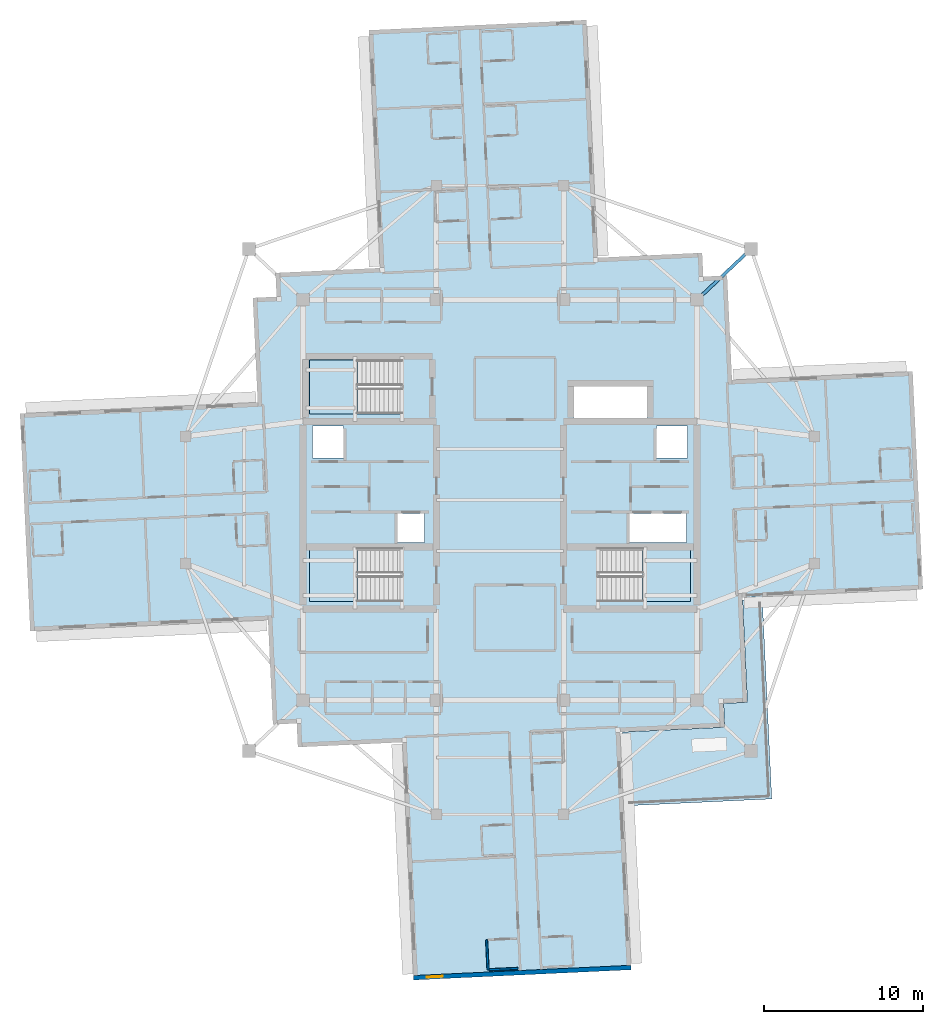
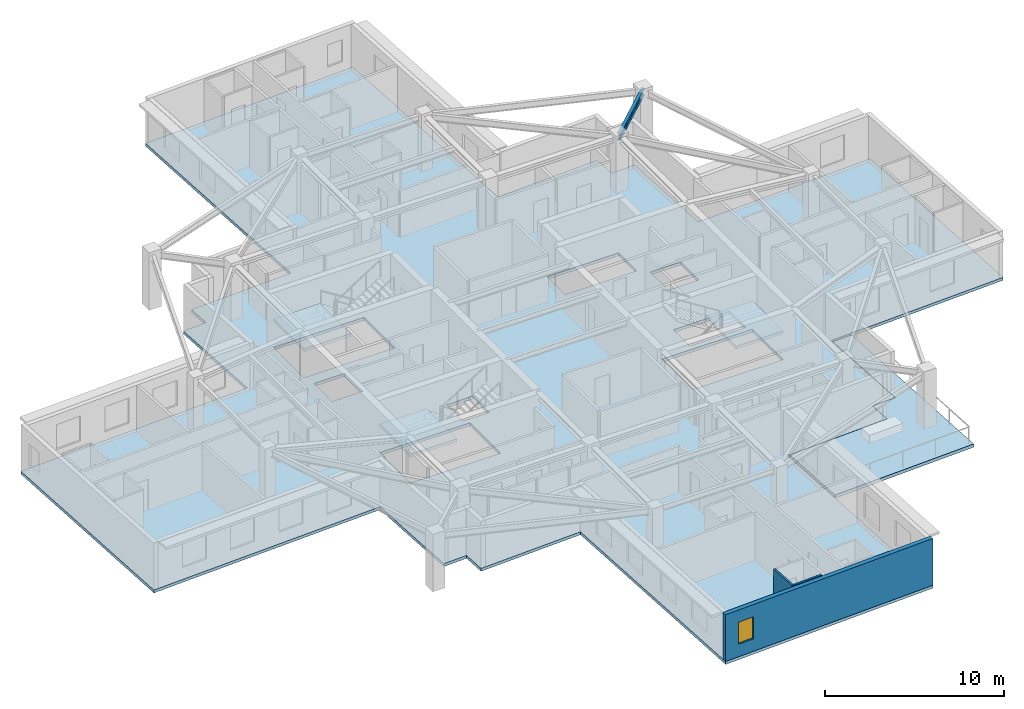
# One storey, part 2 of 13: 5 slabs, 3 walls, 1 beam, 1 window, 1 opening, 3 elements without a shape of their own.
"""IFC4 building model written with IfcOpenShell, lengths in metres."""

import ifcopenshell
import ifcopenshell.guid

model = None  # the IFC model being written
_history = None  # IfcOwnerHistory: only IFC2X3 demands one
_inside = {}  # id of a spatial element -> (the spatial element, [elements in it])
_under = {}  # id of a project, library or spatial element -> (it, [spatial elements below it])
_declared = {}  # id of a project -> (the project, [libraries it declares])
_typed = {}  # id of a type object -> (the type object, [elements of that type])
_made_of = {}  # id of a material, layer set ... -> (it, [elements and type objects made of it])


def new_model(schema):
    """Start an empty IFC model of exactly this schema.

    Asked for "IFC4X3", IfcOpenShell would pick the latest addendum, in which some entities
    have other attributes; the version numbers below select the first issue.
    IFC2X3 requires an IfcOwnerHistory on every rooted entity: one is made here for all.
    """
    global model, _history
    if schema == "IFC4X3":
        model = ifcopenshell.file(schema_version=(4, 3, 0, 0))
    else:
        model = ifcopenshell.file(schema=schema)
    _inside.clear()
    _under.clear()
    _declared.clear()
    _typed.clear()
    _made_of.clear()
    _history = None
    if model.schema == "IFC2X3":
        org = make("IfcOrganization", Name="unknown")
        user = make(
            "IfcPersonAndOrganization",
            ThePerson=make("IfcPerson", FamilyName="unknown"),
            TheOrganization=org,
        )
        app = make(
            "IfcApplication",
            ApplicationDeveloper=org,
            Version="unknown",
            ApplicationFullName="unknown",
            ApplicationIdentifier="unknown",
        )
        _history = make(
            "IfcOwnerHistory",
            OwningUser=user,
            OwningApplication=app,
            ChangeAction="ADDED",
            CreationDate=0,
        )
    return model


def make(cls, **values):
    """One entity of the class cls with the attributes given. An attribute that is None is left unset."""
    return model.create_entity(
        cls, **{name: value for name, value in values.items() if value is not None}
    )


def rooted(cls, **values):
    """An entity with a GlobalId (a new one), such as an element, a storey or a relation."""
    return make(cls, GlobalId=ifcopenshell.guid.new(), OwnerHistory=_history, **values)


def si_unit(unit_type, name, prefix=None):
    """IfcSIUnit, for example si_unit("LENGTHUNIT", "METRE", prefix="MILLI")."""
    return make("IfcSIUnit", UnitType=unit_type, Prefix=prefix, Name=name)


def assignment(units):
    """IfcUnitAssignment: the units of a project."""
    return None if units is None else make("IfcUnitAssignment", Units=units)


def point(xyz):
    """IfcCartesianPoint."""
    return None if xyz is None else make("IfcCartesianPoint", Coordinates=xyz)


def direction(xyz):
    """IfcDirection."""
    return None if xyz is None else make("IfcDirection", DirectionRatios=xyz)


def frame(location, z_axis=None, x_axis=None):
    """IfcAxis2Placement3D, a coordinate frame: its origin and axes. An axis left out is left unset."""
    return make(
        "IfcAxis2Placement3D",
        Location=point(location),
        Axis=direction(z_axis),
        RefDirection=direction(x_axis),
    )


def frame_2d(location, x_axis=None):
    """IfcAxis2Placement2D, a coordinate frame in the plane: its origin and x axis."""
    return make(
        "IfcAxis2Placement2D", Location=point(location), RefDirection=direction(x_axis)
    )


def origin():
    """The frame at (0, 0, 0) with its axes left unset."""
    return frame((0.0, 0.0, 0.0))


def origin_2d():
    """The frame at (0, 0) in the plane with its x axis left unset."""
    return frame_2d((0.0, 0.0))


def place(relative_to, where):
    """IfcLocalPlacement: puts the frame where relative to a parent placement (None: the world)."""
    return make(
        "IfcLocalPlacement", PlacementRelTo=relative_to, RelativePlacement=where
    )


def context(
    kind, dimensions, precision=None, world=None, true_north=None, identifier=None
):
    """IfcGeometricRepresentationContext, for example the 3D "Model" context."""
    return make(
        "IfcGeometricRepresentationContext",
        ContextIdentifier=identifier,
        ContextType=kind,
        CoordinateSpaceDimension=dimensions,
        Precision=precision,
        WorldCoordinateSystem=world,
        TrueNorth=true_north,
    )


def subcontext(parent, identifier, kind, view, scale=None):
    """IfcGeometricRepresentationSubContext, for example "Body" below "Model"."""
    return make(
        "IfcGeometricRepresentationSubContext",
        ContextIdentifier=identifier,
        ContextType=kind,
        ParentContext=parent,
        TargetScale=scale,
        TargetView=view,
    )


def project(units=None, contexts=None):
    """IfcProject with its units and contexts."""
    return rooted(
        "IfcProject",
        Name="project",
        RepresentationContexts=contexts,
        UnitsInContext=assignment(units),
    )


def spatial(cls, under=None, at=None, **own):
    """A site, building, storey or space (cls), placed at a placement, below another one or the project."""
    s = rooted(cls, ObjectPlacement=at, **own)
    if under is not None:
        _under.setdefault(under.id(), (under, []))[1].append(s)
    return s


def polyline(points):
    """IfcPolyline through the points."""
    return make("IfcPolyline", Points=[point(p) for p in points])


def profile(cls, at=None, kind="AREA", **sizes):
    """A parametric profile (cls). Its sizes go by their IFC names, for example OverallWidth=200.0."""
    return make(cls, ProfileType=kind, Position=at, **sizes)


def rectangle(**sizes):
    """IfcRectangleProfileDef."""
    return profile("IfcRectangleProfileDef", **sizes)


def i_section(**sizes):
    """IfcIShapeProfileDef."""
    return profile("IfcIShapeProfileDef", **sizes)


def outline(outer, holes=None, kind="AREA"):
    """IfcArbitraryClosedProfileDef: a profile drawn as a closed curve; with holes, ...WithVoids."""
    if holes is None:
        return make("IfcArbitraryClosedProfileDef", ProfileType=kind, OuterCurve=outer)
    return make(
        "IfcArbitraryProfileDefWithVoids",
        ProfileType=kind,
        OuterCurve=outer,
        InnerCurves=holes,
    )


def extrude(swept, where, along, depth):
    """IfcExtrudedAreaSolid: the profile swept, set in the frame where, extruded along a direction by depth."""
    return make(
        "IfcExtrudedAreaSolid",
        SweptArea=swept,
        Position=where,
        ExtrudedDirection=direction(along),
        Depth=depth,
    )


def shape(context_of_items, identifier, shape_type, items):
    """IfcShapeRepresentation: the items that make up one representation, for example the "Body"."""
    return make(
        "IfcShapeRepresentation",
        ContextOfItems=context_of_items,
        RepresentationIdentifier=identifier,
        RepresentationType=shape_type,
        Items=items,
    )


def material(Name=None, Category=None):
    """IfcMaterial."""
    return make("IfcMaterial", Name=Name, Category=Category)


def layer(
    of_material, thickness, ventilated=None, Name=None, Category=None, Priority=None
):
    """IfcMaterialLayer: one layer of a wall or slab, of a material (None: an air gap)."""
    return make(
        "IfcMaterialLayer",
        Material=of_material,
        LayerThickness=thickness,
        IsVentilated=ventilated,
        Name=Name,
        Category=Category,
        Priority=Priority,
    )


def layer_set(layers, Name=None):
    """IfcMaterialLayerSet."""
    return make("IfcMaterialLayerSet", MaterialLayers=layers, LayerSetName=Name)


def material_profile(
    of_material, cross_section, Name=None, Category=None, Priority=None
):
    """IfcMaterialProfile: a cross section and its material."""
    return make(
        "IfcMaterialProfile",
        Name=Name,
        Material=of_material,
        Profile=cross_section,
        Priority=Priority,
        Category=Category,
    )


def profile_set(profiles, Name=None, composite=None):
    """IfcMaterialProfileSet."""
    return make(
        "IfcMaterialProfileSet",
        Name=Name,
        MaterialProfiles=profiles,
        CompositeProfile=composite,
    )


def made_of(thing, what):
    """Note that an element or type object is made of a material, layer set ...; save() writes the relation."""
    if what is not None:
        _made_of.setdefault(what.id(), (what, []))[1].append(thing)
    return thing


def type_object(cls, material=None, **own):
    """A type object (cls), such as IfcWallType, which elements share."""
    return made_of(rooted(cls, **own), material)


def element(
    cls,
    number,
    at=None,
    inside=None,
    cuts=None,
    type_object=None,
    material=None,
    context=None,
    identifier="Body",
    shape_type=None,
    held_by="IfcProductDefinitionShape",
    body=None,
    shapes=None,
    **own,
):
    """One element of the class cls, such as IfcWall. Its Tag is "e" and its number.

    at: its placement. inside: the storey or other place that contains it. cuts: it is an
    opening in that element (IfcRelVoidsElement). A single representation is given by context,
    identifier, shape_type and body (its items); several are given by shapes. held_by: the class
    of the entity that holds the representations. save() writes the other relations.
    """
    e = rooted(cls, Tag="e%d" % number, ObjectPlacement=at, **own)
    if body is not None:
        shapes = [shape(context, identifier, shape_type, body)]
    if shapes is not None:
        e.Representation = make(held_by, Representations=shapes)
    if inside is not None:
        _inside.setdefault(inside.id(), (inside, []))[1].append(e)
    if cuts is not None:
        rooted(
            "IfcRelVoidsElement", RelatingBuildingElement=cuts, RelatedOpeningElement=e
        )
    if type_object is not None:
        _typed.setdefault(type_object.id(), (type_object, []))[1].append(e)
    return made_of(e, material)


def fill(opening, filler):
    """IfcRelFillsElement: the door or window that sits in an opening."""
    return rooted(
        "IfcRelFillsElement",
        RelatingOpeningElement=opening,
        RelatedBuildingElement=filler,
    )


def aggregate(whole, parts):
    """IfcRelAggregates: a whole, such as a stair, and the parts it consists of."""
    return rooted("IfcRelAggregates", RelatingObject=whole, RelatedObjects=parts)


def save(model, path):
    """Write the relations noted so far, then the file.

    IfcRelAggregates (storeys below a building ...), IfcRelContainedInSpatialStructure (elements
    in a storey), IfcRelDefinesByType, IfcRelAssociatesMaterial and IfcRelDeclares: one each for
    every whole, place, type object, material and project.
    """
    for whole, parts in _under.values():
        aggregate(whole, parts)
    for where, things in _inside.values():
        rooted(
            "IfcRelContainedInSpatialStructure",
            RelatedElements=things,
            RelatingStructure=where,
        )
    for kind, things in _typed.values():
        rooted("IfcRelDefinesByType", RelatedObjects=things, RelatingType=kind)
    for what, things in _made_of.values():
        rooted("IfcRelAssociatesMaterial", RelatedObjects=things, RelatingMaterial=what)
    for by, libraries in _declared.values():
        rooted("IfcRelDeclares", RelatingContext=by, RelatedDefinitions=libraries)
    model.write(path)


model = new_model("IFC4")

# Units and contexts
model_context = context("Model", 3, precision=1e-05, world=origin(), true_north=direction((0.0, 1.0)))
body_context = subcontext(model_context, "Body", "Model", "MODEL_VIEW")
ifc_project = project(units=[si_unit("LENGTHUNIT", "METRE"), si_unit("AREAUNIT", "SQUARE_METRE"), si_unit("VOLUMEUNIT", "CUBIC_METRE"), si_unit("PLANEANGLEUNIT", "RADIAN"), si_unit("MASSUNIT", "GRAM", prefix="KILO")], contexts=[model_context])

# Site, building, storey
site_placement = place(None, origin())
site = spatial("IfcSite", under=ifc_project, at=site_placement, CompositionType="ELEMENT")
building_placement = place(site_placement, origin())
building = spatial("IfcBuilding", under=site, at=building_placement, Name="Qingluan Cross Belvedere", CompositionType="ELEMENT")
storey_placement = place(building_placement, frame((0.0, 0.0, 277.199951171875)))
storey = spatial("IfcBuildingStorey", under=building, at=storey_placement, Name="L69", CompositionType="ELEMENT", Elevation=277.199951171875)

# Beam
ifc_material_1 = material(Name="Steel Q420GJB", Category="steel")
ifc_material_profile = material_profile(ifc_material_1, i_section(OverallWidth=0.199951171875, OverallDepth=0.449951171875, WebThickness=0.009033203125, FlangeThickness=0.013916015625, FilletRadius=0.01611328125, at=origin_2d()), Name="HN450x200x9x14")
ifc_profile_set = profile_set([ifc_material_profile], Name="Steel Q420GJB")
beam_type = type_object("IfcBeamType", Name="Steel_Beam_HN450x200x9x14", PredefinedType="JOIST", material=ifc_profile_set)
beam_placement = place(storey_placement, frame((12.39990234375, 12.60009765625, 3.47509765625), z_axis=(0.728219948308, 0.685343495546, 0.0), x_axis=(-0.685343495546, 0.728219948308, 0.0)))
element("IfcBeam", 1, at=beam_placement, inside=storey, type_object=beam_type, Name="Corner beam 1 L69-RNE", PredefinedType="JOIST", context=body_context, shape_type="SweptSolid", body=[
    extrude(i_section(OverallWidth=0.199951171875, OverallDepth=0.449951171875, WebThickness=0.009033203125, FlangeThickness=0.013916015625, FilletRadius=0.01611328125, at=origin_2d()), origin(), (0.0, 0.0, 1.0), 4.669189453125),
])

# Slab
ifc_material_2 = material(Name="Concrete C40", Category="concrete")
ifc_layer_1 = layer(ifc_material_2, 0.199951171875, Name="FloorSlab_200")
ifc_layer_set_1 = layer_set([ifc_layer_1], Name="Concrete C40")
slab_type_1 = type_object("IfcSlabType", Name="FloorSlab_200", PredefinedType="FLOOR", material=ifc_layer_set_1)
slab_1_placement = place(storey_placement, frame((0.0, 0.0, -0.199951171875)))
element("IfcSlab", 2, at=slab_1_placement, inside=storey, type_object=slab_type_1, Name="Structural floor slab L69", PredefinedType="FLOOR", context=body_context, shape_type="SweptSolid", body=[
    extrude(outline(polyline([(8.26171875, -29.563720703125), (7.55615234375, -14.600341796875), (14.12890625, -14.290283203125), (14.05810546875, -12.7919921875), (15.556396484375, -12.72119140625), (15.24658203125, -6.148681640625), (26.614013671875, -5.612548828125), (25.967529296875, 8.09228515625), (14.600341796875, 7.55615234375), (14.290283203125, 14.12890625), (12.7919921875, 14.05810546875), (12.72119140625, 15.556396484375), (6.148681640625, 15.24658203125), (5.443115234375, 30.2099609375), (-8.26171875, 29.563720703125), (-7.55615234375, 14.600341796875), (-14.12890625, 14.290283203125), (-14.05810546875, 12.7919921875), (-15.556396484375, 12.72119140625), (-15.24658203125, 6.148681640625), (-30.2099609375, 5.443115234375), (-29.563720703125, -8.26171875), (-14.600341796875, -7.55615234375), (-14.290283203125, -14.12890625), (-12.7919921875, -14.05810546875), (-12.72119140625, -15.556396484375), (-6.148681640625, -15.24658203125), (-5.443115234375, -30.2099609375), (8.26171875, -29.563720703125)]), holes=[polyline([(-12.0, -3.0), (-6.179931640625, -3.0), (-6.179931640625, -6.39990234375), (-12.0, -6.39990234375), (-12.0, -3.0)]), polyline([(6.179931640625, -3.0), (12.0, -3.0), (12.0, -6.39990234375), (6.179931640625, -6.39990234375), (6.179931640625, -3.0)]), polyline([(-12.0, 8.820068359375), (-6.179931640625, 8.820068359375), (-6.179931640625, 5.419921875), (-12.0, 5.419921875), (-12.0, 8.820068359375)]), polyline([(-11.800048828125, 4.64990234375), (-9.85009765625, 4.64990234375), (-9.85009765625, 2.64990234375), (-11.800048828125, 2.64990234375), (-11.800048828125, 4.64990234375)]), polyline([(9.85009765625, 4.64990234375), (11.800048828125, 4.64990234375), (11.800048828125, 2.64990234375), (9.85009765625, 2.64990234375), (9.85009765625, 4.64990234375)]), polyline([(-6.449951171875, -0.840087890625), (-4.75, -0.840087890625), (-4.75, -2.659912109375), (-6.449951171875, -2.659912109375), (-6.449951171875, -0.840087890625)]), polyline([(8.14990234375, -0.840087890625), (11.75, -0.840087890625), (11.75, -2.659912109375), (8.14990234375, -2.659912109375), (8.14990234375, -0.840087890625)]), polyline([(4.64990234375, 7.14990234375), (9.25, 7.14990234375), (9.25, 5.14990234375), (4.64990234375, 5.14990234375), (4.64990234375, 7.14990234375)])]), origin(), (0.0, 0.0, 1.0), 0.199951171875),
])

# Stair, slab
ifc_material_3 = material(Name="Concrete C40", Category="concrete")
stair_type = type_object("IfcStairType", Name="CoreDoglegStair_1620", PredefinedType="HALF_TURN_STAIR", material=ifc_material_3)
stair_1_placement = place(storey_placement, origin())
stair_1 = element("IfcStair", 3, at=stair_1_placement, inside=storey, type_object=stair_type, Name="L69 ST1", PredefinedType="HALF_TURN_STAIR")
ifc_material_4 = material(Name="Concrete C40", Category="concrete")
ifc_layer_2 = layer(ifc_material_4, 0.179931640625, Name="StairLandingSlab_180")
ifc_layer_set_2 = layer_set([ifc_layer_2], Name="Concrete C40")
slab_type_2 = type_object("IfcSlabType", Name="StairLandingSlab_180", PredefinedType="LANDING", material=ifc_layer_set_2)
slab_2_placement = place(storey_placement, frame((0.0, 0.0, 1.75)))
slab_2 = element("IfcSlab", 4, at=slab_2_placement, type_object=slab_type_2, Name="ST1 landing 1", PredefinedType="LANDING", context=body_context, shape_type="SweptSolid", body=[
    extrude(outline(polyline([(-8.97998046875, -3.0), (-12.0, -3.0), (-12.0, -6.39990234375), (-8.97998046875, -6.39990234375), (-8.97998046875, -3.0)])), origin(), (0.0, 0.0, 1.0), 0.199951171875),
])
aggregate(stair_1, [slab_2])

stair_2_placement = place(storey_placement, origin())
stair_2 = element("IfcStair", 5, at=stair_2_placement, inside=storey, type_object=stair_type, Name="L69 ST2", PredefinedType="HALF_TURN_STAIR")
slab_3_placement = place(storey_placement, frame((0.0, 0.0, 1.75)))
slab_3 = element("IfcSlab", 6, at=slab_3_placement, type_object=slab_type_2, Name="ST2 landing 1", PredefinedType="LANDING", context=body_context, shape_type="SweptSolid", body=[
    extrude(outline(polyline([(8.97998046875, -6.39990234375), (12.0, -6.39990234375), (12.0, -3.0), (8.97998046875, -3.0), (8.97998046875, -6.39990234375)])), origin(), (0.0, 0.0, 1.0), 0.199951171875),
])
aggregate(stair_2, [slab_3])

stair_3_placement = place(storey_placement, origin())
stair_3 = element("IfcStair", 7, at=stair_3_placement, inside=storey, type_object=stair_type, Name="L69 ST3", PredefinedType="HALF_TURN_STAIR")
slab_4_placement = place(storey_placement, frame((0.0, 0.0, 1.75)))
slab_4 = element("IfcSlab", 8, at=slab_4_placement, type_object=slab_type_2, Name="ST3 landing 1", PredefinedType="LANDING", context=body_context, shape_type="SweptSolid", body=[
    extrude(outline(polyline([(-8.97998046875, 8.820068359375), (-12.0, 8.820068359375), (-12.0, 5.419921875), (-8.97998046875, 5.419921875), (-8.97998046875, 8.820068359375)])), origin(), (0.0, 0.0, 1.0), 0.199951171875),
])
aggregate(stair_3, [slab_4])

# Slab
ifc_material_5 = material(Name="Concrete C40", Category="concrete")
ifc_layer_3 = layer(ifc_material_5, 0.219970703125, Name="TerraceSlab_220")
ifc_layer_set_3 = layer_set([ifc_layer_3], Name="Concrete C40")
slab_type_3 = type_object("IfcSlabType", Name="TerraceSlab_220", PredefinedType="FLOOR", material=ifc_layer_set_3)
slab_5_placement = place(storey_placement, frame((0.0, 0.0, -0.219970703125)))
element("IfcSlab", 9, at=slab_5_placement, inside=storey, type_object=slab_type_3, Name="Spiralling winter-garden terrace slab L69", PredefinedType="FLOOR", context=body_context, shape_type="SweptSolid", body=[
    extrude(outline(polyline([(15.26318359375, -6.2880859375), (15.565185546875, -12.7265625), (14.068603515625, -12.801513671875), (14.138916015625, -14.289794921875), (14.13134765625, -14.300048828125), (7.696533203125, -14.603759765625), (7.91552734375, -19.24853515625), (17.105224609375, -18.815185546875), (16.51171875, -6.22900390625), (15.26318359375, -6.2880859375)])), origin(), (0.0, 0.0, 1.0), 0.219970703125),
])

# Walls
ifc_material_6 = material(Name="Moisture-resistant gypsum board lining")
ifc_layer_4 = layer(ifc_material_6, 0.1201171875, Name="EnsuiteWetPartition_120")
ifc_layer_set_4 = layer_set([ifc_layer_4], Name="Moisture-resistant gypsum board lining")
wall_type_1 = type_object("IfcWallType", Name="EnsuiteWetPartition_120", PredefinedType="PARTITIONING", material=ifc_layer_set_4)
wall_1_placement = place(storey_placement, frame((-0.68798828125, -29.565185546875, 0.0), z_axis=(0.0, 0.0, 1.0), x_axis=(0.998890786574, 0.047087116047, 0.0)))
element("IfcWall", 10, at=wall_1_placement, inside=storey, type_object=wall_type_1, Name="Partition L69:S:bw1_1", PredefinedType="PARTITIONING", context=body_context, shape_type="SweptSolid", body=[
    extrude(rectangle(XDim=1.81982421875, YDim=0.1201171875, at=frame_2d((0.909912109375, 0.0))), origin(), (0.0, 0.0, 1.0), 3.170166015625),
])
wall_2_placement = place(storey_placement, frame((-0.841552734375, -27.6904296875, 0.0), z_axis=(0.0, 0.0, 1.0), x_axis=(0.047139425368, -0.998888319371, 0.0)))
element("IfcWall", 11, at=wall_2_placement, inside=storey, type_object=wall_type_1, Name="Partition L69:S:bc1_1", PredefinedType="PARTITIONING", context=body_context, shape_type="SweptSolid", body=[
    extrude(rectangle(XDim=1.880126953125, YDim=0.1201171875, at=frame_2d((0.93994140625, 0.0))), origin(), (0.0, 0.0, 1.0), 3.170166015625),
])

# Wall, opening, window
ifc_material_7 = material(Name="Precast concrete C45", Category="concrete")
ifc_layer_5 = layer(ifc_material_7, 0.280029296875, Name="PrecastFacadeWall_280")
ifc_layer_set_5 = layer_set([ifc_layer_5], Name="Precast concrete C45")
wall_type_2 = type_object("IfcWallType", Name="PrecastFacadeWall_280", PredefinedType="STANDARD", material=ifc_layer_set_5)
wall_3_placement = place(storey_placement, frame((-5.44970703125, -30.070068359375, 0.0), z_axis=(0.0, 0.0, 1.0), x_axis=(0.998890092147, 0.047101845086, 0.0)))
wall_3 = element("IfcWall", 12, at=wall_3_placement, inside=storey, type_object=wall_type_2, Name="Arm tip precast facade wall L69-S", PredefinedType="STANDARD", context=body_context, shape_type="SweptSolid", body=[
    extrude(rectangle(XDim=13.719970703125, YDim=0.280029296875, at=frame_2d((6.85986328125, 0.0))), origin(), (0.0, 0.0, 1.0), 3.179931640625),
])
opening_placement = place(wall_3_placement, frame((0.85009765625, 0.0, 0.85009765625)))
opening = element("IfcOpeningElement", 13, at=opening_placement, cuts=wall_3, Name="Opening W-03", PredefinedType="OPENING", context=body_context, shape_type="SweptSolid", body=[
    extrude(rectangle(XDim=1.0, YDim=1.5, at=frame_2d((0.5, 0.75))), frame((0.0, 0.14990234375, 0.0), z_axis=(0.0, -1.0, 0.0), x_axis=(1.0, 0.0, 0.0)), (0.0, 0.0, 1.0), 0.300048828125),
])
ifc_material_8 = material(Name="Thermally broken triple Low-E glass in aluminium frame", Category="aluminium")
window_type = type_object("IfcWindowType", Name="TriApexWin_1000x1500", PartitioningType="SINGLE_PANEL", PredefinedType="WINDOW", material=ifc_material_8)
window_placement = place(opening_placement, origin())
window = element("IfcWindow", 14, at=window_placement, inside=storey, type_object=window_type, Name="Arm tip triangular window L69-S", OverallHeight=1.5, OverallWidth=1.0, PartitioningType="SINGLE_PANEL", PredefinedType="WINDOW", context=body_context, shape_type="SweptSolid", body=[
    extrude(rectangle(XDim=1.0, YDim=1.5, at=frame_2d((0.5, 0.75))), frame((0.0, 0.030029296875, 0.0), z_axis=(0.0, -1.0, 0.0), x_axis=(1.0, 0.0, 0.0)), (0.0, 0.0, 1.0), 0.06005859375),
])
fill(opening, window)

save(model, "model.ifc")
